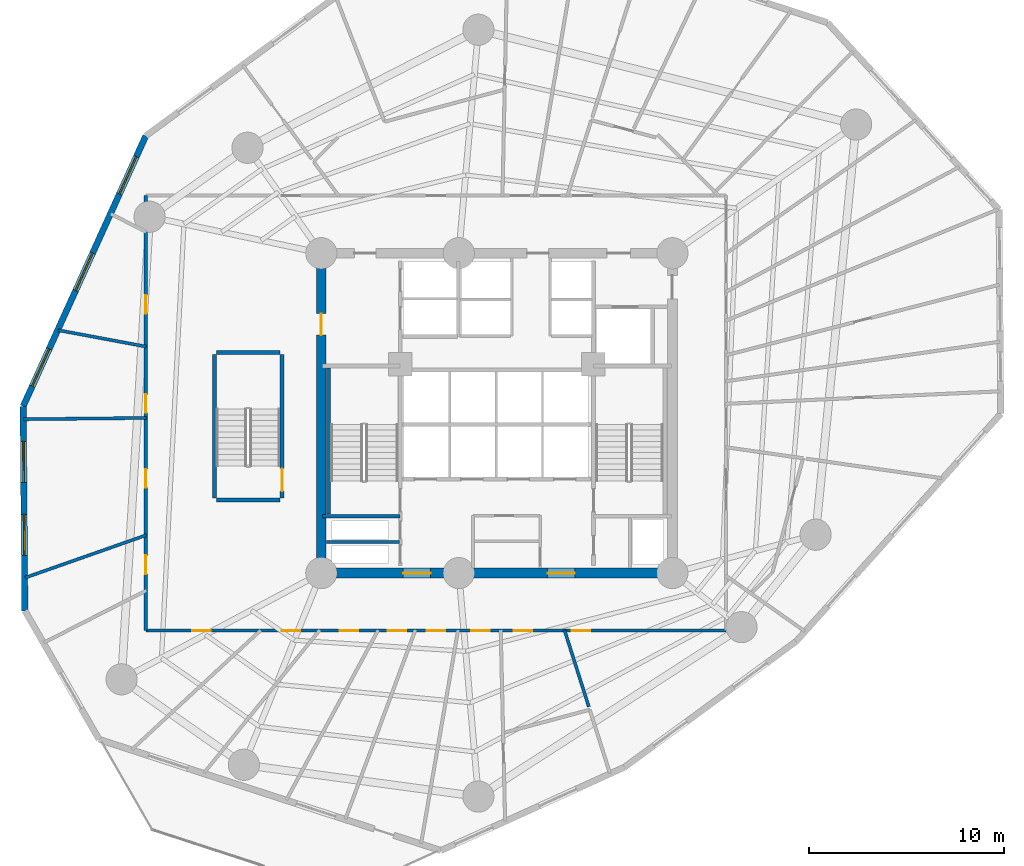
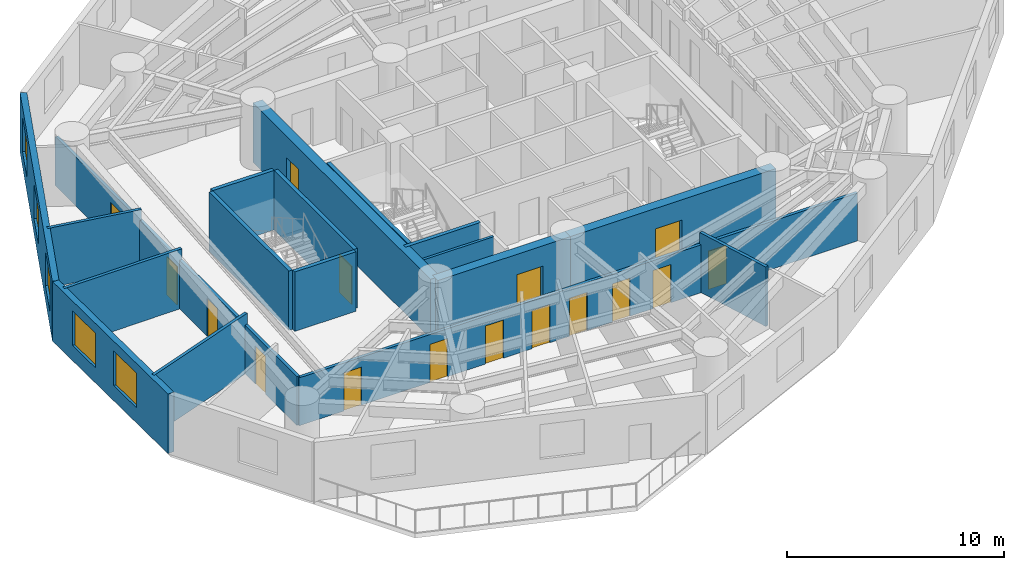
# One storey, part 3 of 9: 18 walls, 16 doors, 5 windows, 21 openings.
"""IFC4 building model written with IfcOpenShell, lengths in metres."""

import ifcopenshell
import ifcopenshell.guid

model = None  # the IFC model being written
_history = None  # IfcOwnerHistory: only IFC2X3 demands one
_inside = {}  # id of a spatial element -> (the spatial element, [elements in it])
_under = {}  # id of a project, library or spatial element -> (it, [spatial elements below it])
_declared = {}  # id of a project -> (the project, [libraries it declares])
_typed = {}  # id of a type object -> (the type object, [elements of that type])
_made_of = {}  # id of a material, layer set ... -> (it, [elements and type objects made of it])


def new_model(schema):
    """Start an empty IFC model of exactly this schema.

    Asked for "IFC4X3", IfcOpenShell would pick the latest addendum, in which some entities
    have other attributes; the version numbers below select the first issue.
    IFC2X3 requires an IfcOwnerHistory on every rooted entity: one is made here for all.
    """
    global model, _history
    if schema == "IFC4X3":
        model = ifcopenshell.file(schema_version=(4, 3, 0, 0))
    else:
        model = ifcopenshell.file(schema=schema)
    _inside.clear()
    _under.clear()
    _declared.clear()
    _typed.clear()
    _made_of.clear()
    _history = None
    if model.schema == "IFC2X3":
        org = make("IfcOrganization", Name="unknown")
        user = make(
            "IfcPersonAndOrganization",
            ThePerson=make("IfcPerson", FamilyName="unknown"),
            TheOrganization=org,
        )
        app = make(
            "IfcApplication",
            ApplicationDeveloper=org,
            Version="unknown",
            ApplicationFullName="unknown",
            ApplicationIdentifier="unknown",
        )
        _history = make(
            "IfcOwnerHistory",
            OwningUser=user,
            OwningApplication=app,
            ChangeAction="ADDED",
            CreationDate=0,
        )
    return model


def make(cls, **values):
    """One entity of the class cls with the attributes given. An attribute that is None is left unset."""
    return model.create_entity(
        cls, **{name: value for name, value in values.items() if value is not None}
    )


def rooted(cls, **values):
    """An entity with a GlobalId (a new one), such as an element, a storey or a relation."""
    return make(cls, GlobalId=ifcopenshell.guid.new(), OwnerHistory=_history, **values)


def si_unit(unit_type, name, prefix=None):
    """IfcSIUnit, for example si_unit("LENGTHUNIT", "METRE", prefix="MILLI")."""
    return make("IfcSIUnit", UnitType=unit_type, Prefix=prefix, Name=name)


def assignment(units):
    """IfcUnitAssignment: the units of a project."""
    return None if units is None else make("IfcUnitAssignment", Units=units)


def point(xyz):
    """IfcCartesianPoint."""
    return None if xyz is None else make("IfcCartesianPoint", Coordinates=xyz)


def direction(xyz):
    """IfcDirection."""
    return None if xyz is None else make("IfcDirection", DirectionRatios=xyz)


def frame(location, z_axis=None, x_axis=None):
    """IfcAxis2Placement3D, a coordinate frame: its origin and axes. An axis left out is left unset."""
    return make(
        "IfcAxis2Placement3D",
        Location=point(location),
        Axis=direction(z_axis),
        RefDirection=direction(x_axis),
    )


def frame_2d(location, x_axis=None):
    """IfcAxis2Placement2D, a coordinate frame in the plane: its origin and x axis."""
    return make(
        "IfcAxis2Placement2D", Location=point(location), RefDirection=direction(x_axis)
    )


def origin():
    """The frame at (0, 0, 0) with its axes left unset."""
    return frame((0.0, 0.0, 0.0))


def origin_with_axes():
    """The frame at (0, 0, 0) with the z axis (0, 0, 1) and the x axis (1, 0, 0) written out."""
    return frame((0.0, 0.0, 0.0), z_axis=(0.0, 0.0, 1.0), x_axis=(1.0, 0.0, 0.0))


def place(relative_to, where):
    """IfcLocalPlacement: puts the frame where relative to a parent placement (None: the world)."""
    return make(
        "IfcLocalPlacement", PlacementRelTo=relative_to, RelativePlacement=where
    )


def context(
    kind, dimensions, precision=None, world=None, true_north=None, identifier=None
):
    """IfcGeometricRepresentationContext, for example the 3D "Model" context."""
    return make(
        "IfcGeometricRepresentationContext",
        ContextIdentifier=identifier,
        ContextType=kind,
        CoordinateSpaceDimension=dimensions,
        Precision=precision,
        WorldCoordinateSystem=world,
        TrueNorth=true_north,
    )


def subcontext(parent, identifier, kind, view, scale=None):
    """IfcGeometricRepresentationSubContext, for example "Body" below "Model"."""
    return make(
        "IfcGeometricRepresentationSubContext",
        ContextIdentifier=identifier,
        ContextType=kind,
        ParentContext=parent,
        TargetScale=scale,
        TargetView=view,
    )


def project(units=None, contexts=None):
    """IfcProject with its units and contexts."""
    return rooted(
        "IfcProject",
        Name="project",
        RepresentationContexts=contexts,
        UnitsInContext=assignment(units),
    )


def spatial(cls, under=None, at=None, **own):
    """A site, building, storey or space (cls), placed at a placement, below another one or the project."""
    s = rooted(cls, ObjectPlacement=at, **own)
    if under is not None:
        _under.setdefault(under.id(), (under, []))[1].append(s)
    return s


def profile(cls, at=None, kind="AREA", **sizes):
    """A parametric profile (cls). Its sizes go by their IFC names, for example OverallWidth=200.0."""
    return make(cls, ProfileType=kind, Position=at, **sizes)


def rectangle(**sizes):
    """IfcRectangleProfileDef."""
    return profile("IfcRectangleProfileDef", **sizes)


def extrude(swept, where, along, depth):
    """IfcExtrudedAreaSolid: the profile swept, set in the frame where, extruded along a direction by depth."""
    return make(
        "IfcExtrudedAreaSolid",
        SweptArea=swept,
        Position=where,
        ExtrudedDirection=direction(along),
        Depth=depth,
    )


def shape(context_of_items, identifier, shape_type, items):
    """IfcShapeRepresentation: the items that make up one representation, for example the "Body"."""
    return make(
        "IfcShapeRepresentation",
        ContextOfItems=context_of_items,
        RepresentationIdentifier=identifier,
        RepresentationType=shape_type,
        Items=items,
    )


def source(mapping_origin, context_of_items, identifier, shape_type, items):
    """IfcRepresentationMap: a shape defined once, which mapped items show again and again."""
    return make(
        "IfcRepresentationMap",
        MappingOrigin=mapping_origin,
        MappedRepresentation=shape(context_of_items, identifier, shape_type, items),
    )


def transform(
    local_origin,
    x_axis=None,
    y_axis=None,
    z_axis=None,
    scale=None,
    scale2=None,
    scale3=None,
    uniform=True,
):
    """IfcCartesianTransformationOperator3D, or its non-uniform kind. x_axis, y_axis, z_axis: its Axis1, 2, 3."""
    if uniform:
        return make(
            "IfcCartesianTransformationOperator3D",
            Axis1=direction(x_axis),
            Axis2=direction(y_axis),
            LocalOrigin=point(local_origin),
            Scale=scale,
            Axis3=direction(z_axis),
        )
    return make(
        "IfcCartesianTransformationOperator3DnonUniform",
        Axis1=direction(x_axis),
        Axis2=direction(y_axis),
        LocalOrigin=point(local_origin),
        Scale=scale,
        Axis3=direction(z_axis),
        Scale2=scale2,
        Scale3=scale3,
    )


def mapped(mapping_source, mapping_target):
    """IfcMappedItem: shows the shape of a source again, moved by a transform."""
    return make(
        "IfcMappedItem", MappingSource=mapping_source, MappingTarget=mapping_target
    )


def material(Name=None, Category=None):
    """IfcMaterial."""
    return make("IfcMaterial", Name=Name, Category=Category)


def layer(
    of_material, thickness, ventilated=None, Name=None, Category=None, Priority=None
):
    """IfcMaterialLayer: one layer of a wall or slab, of a material (None: an air gap)."""
    return make(
        "IfcMaterialLayer",
        Material=of_material,
        LayerThickness=thickness,
        IsVentilated=ventilated,
        Name=Name,
        Category=Category,
        Priority=Priority,
    )


def layer_set(layers, Name=None):
    """IfcMaterialLayerSet."""
    return make("IfcMaterialLayerSet", MaterialLayers=layers, LayerSetName=Name)


def made_of(thing, what):
    """Note that an element or type object is made of a material, layer set ...; save() writes the relation."""
    if what is not None:
        _made_of.setdefault(what.id(), (what, []))[1].append(thing)
    return thing


def type_object(cls, material=None, **own):
    """A type object (cls), such as IfcWallType, which elements share."""
    return made_of(rooted(cls, **own), material)


def element(
    cls,
    number,
    at=None,
    inside=None,
    cuts=None,
    type_object=None,
    material=None,
    context=None,
    identifier="Body",
    shape_type=None,
    held_by="IfcProductDefinitionShape",
    body=None,
    shapes=None,
    **own,
):
    """One element of the class cls, such as IfcWall. Its Tag is "e" and its number.

    at: its placement. inside: the storey or other place that contains it. cuts: it is an
    opening in that element (IfcRelVoidsElement). A single representation is given by context,
    identifier, shape_type and body (its items); several are given by shapes. held_by: the class
    of the entity that holds the representations. save() writes the other relations.
    """
    e = rooted(cls, Tag="e%d" % number, ObjectPlacement=at, **own)
    if body is not None:
        shapes = [shape(context, identifier, shape_type, body)]
    if shapes is not None:
        e.Representation = make(held_by, Representations=shapes)
    if inside is not None:
        _inside.setdefault(inside.id(), (inside, []))[1].append(e)
    if cuts is not None:
        rooted(
            "IfcRelVoidsElement", RelatingBuildingElement=cuts, RelatedOpeningElement=e
        )
    if type_object is not None:
        _typed.setdefault(type_object.id(), (type_object, []))[1].append(e)
    return made_of(e, material)


def fill(opening, filler):
    """IfcRelFillsElement: the door or window that sits in an opening."""
    return rooted(
        "IfcRelFillsElement",
        RelatingOpeningElement=opening,
        RelatedBuildingElement=filler,
    )


def aggregate(whole, parts):
    """IfcRelAggregates: a whole, such as a stair, and the parts it consists of."""
    return rooted("IfcRelAggregates", RelatingObject=whole, RelatedObjects=parts)


def save(model, path):
    """Write the relations noted so far, then the file.

    IfcRelAggregates (storeys below a building ...), IfcRelContainedInSpatialStructure (elements
    in a storey), IfcRelDefinesByType, IfcRelAssociatesMaterial and IfcRelDeclares: one each for
    every whole, place, type object, material and project.
    """
    for whole, parts in _under.values():
        aggregate(whole, parts)
    for where, things in _inside.values():
        rooted(
            "IfcRelContainedInSpatialStructure",
            RelatedElements=things,
            RelatingStructure=where,
        )
    for kind, things in _typed.values():
        rooted("IfcRelDefinesByType", RelatedObjects=things, RelatingType=kind)
    for what, things in _made_of.values():
        rooted("IfcRelAssociatesMaterial", RelatedObjects=things, RelatingMaterial=what)
    for by, libraries in _declared.values():
        rooted("IfcRelDeclares", RelatingContext=by, RelatedDefinitions=libraries)
    model.write(path)


model = new_model("IFC4")

# Units and contexts
model_context = context("Model", 3, precision=1e-05, world=origin(), true_north=direction((0.0, 1.0)))
body_context = subcontext(model_context, "Body", "Model", "MODEL_VIEW")
ifc_project = project(units=[si_unit("LENGTHUNIT", "METRE"), si_unit("AREAUNIT", "SQUARE_METRE"), si_unit("VOLUMEUNIT", "CUBIC_METRE"), si_unit("PLANEANGLEUNIT", "RADIAN"), si_unit("MASSUNIT", "GRAM", prefix="KILO")], contexts=[model_context])

# Site, building, storey
site_placement = place(None, origin())
site = spatial("IfcSite", under=ifc_project, at=site_placement, CompositionType="ELEMENT")
building_placement = place(site_placement, origin())
building = spatial("IfcBuilding", under=site, at=building_placement, Name="Karkom Vertical University and Central Library", CompositionType="ELEMENT")
storey_placement = place(building_placement, frame((0.0, 0.0, 48.10009765625)))
storey = spatial("IfcBuildingStorey", under=building, at=storey_placement, Name="L12", CompositionType="ELEMENT", Elevation=48.10009765625)

# Wall, openings, windows
ifc_material_1 = material(Name="Brick-faced precast concrete C45/55", Category="masonry")
ifc_layer_1 = layer(ifc_material_1, 0.320068359375)
ifc_layer_set_1 = layer_set([ifc_layer_1], Name="Brick-faced precast concrete C45/55")
wall_type_1 = type_object("IfcWallType", Name="ENV-WL-BRK-320", PredefinedType="SOLIDWALL", material=ifc_layer_set_1)
wall_1_placement = place(storey_placement, frame((10.499267578125, 40.7177734375, 0.0), z_axis=(0.0, 0.0, 1.0), x_axis=(-0.41300414516, -0.91072914529, 0.0)))
wall_1 = element("IfcWall", 1, at=wall_1_placement, inside=storey, type_object=wall_type_1, Name="Level 12 Brick-Faced Precast Facade Wall 01", PredefinedType="SOLIDWALL", context=body_context, shape_type="SweptSolid", body=[
    extrude(rectangle(XDim=15.22412109375, YDim=0.320068359375, at=frame_2d((7.612060546875, 0.0))), origin(), (0.0, 0.0, 1.0), 3.349853515625),
])
opening_1_placement = place(wall_1_placement, frame((1.172607421875, 0.0, 0.85009765625)))
opening_1 = element("IfcOpeningElement", 2, at=opening_1_placement, cuts=wall_1, Name="Opening WN-03", PredefinedType="OPENING", context=body_context, shape_type="SweptSolid", body=[
    extrude(rectangle(XDim=2.10009765625, YDim=1.949951171875, at=frame_2d((1.050048828125, 0.97509765625))), frame((0.0, 0.169921875, 0.0), z_axis=(0.0, -1.0, 0.0), x_axis=(1.0, 0.0, 0.0)), (0.0, 0.0, 1.0), 0.340087890625),
])
opening_2_placement = place(wall_1_placement, frame((6.60302734375, 0.0, 0.85009765625)))
opening_2 = element("IfcOpeningElement", 3, at=opening_2_placement, cuts=wall_1, Name="Opening WN-03", PredefinedType="OPENING", context=body_context, shape_type="SweptSolid", body=[
    extrude(rectangle(XDim=2.10009765625, YDim=1.949951171875, at=frame_2d((1.050048828125, 0.97509765625))), frame((0.0, 0.169921875, 0.0), z_axis=(0.0, -1.0, 0.0), x_axis=(1.0, 0.0, 0.0)), (0.0, 0.0, 1.0), 0.340087890625),
])
opening_3_placement = place(wall_1_placement, frame((11.99267578125, 0.0, 0.85009765625)))
opening_3 = element("IfcOpeningElement", 4, at=opening_3_placement, cuts=wall_1, Name="Opening WN-03", PredefinedType="OPENING", context=body_context, shape_type="SweptSolid", body=[
    extrude(rectangle(XDim=2.10009765625, YDim=1.949951171875, at=frame_2d((1.050048828125, 0.97509765625))), frame((0.0, 0.169921875, 0.0), z_axis=(0.0, -1.0, 0.0), x_axis=(1.0, 0.0, 0.0)), (0.0, 0.0, 1.0), 0.340087890625),
])
ifc_material_2 = material(Name="Aluminium thermal-break frame with solar-control IGU", Category="aluminium")
window_type = type_object("IfcWindowType", Name="ENV-WIN-WN-03", PartitioningType="SINGLE_PANEL", PredefinedType="WINDOW", material=ifc_material_2)
shared_shape_1 = source(origin_with_axes(), body_context, "Body", "SweptSolid", [
    extrude(rectangle(XDim=2.10009765625, YDim=1.949951171875, at=frame_2d((1.050048828125, 0.97509765625))), frame((0.0, 0.030029296875, 0.0), z_axis=(0.0, -1.0, 0.0), x_axis=(1.0, 0.0, 0.0)), (0.0, 0.0, 1.0), 0.06005859375),
])
window_1_placement = place(opening_1_placement, origin())
window_1 = element("IfcWindow", 5, at=window_1_placement, inside=storey, type_object=window_type, Name="Level 12 Punched Window 1.1", OverallHeight=1.949951171875, OverallWidth=2.10009765625, PartitioningType="SINGLE_PANEL", PredefinedType="WINDOW", context=body_context, shape_type="MappedRepresentation", body=[
    mapped(shared_shape_1, transform((0.0, 0.0, 0.0), scale=1.0)),
])
fill(opening_1, window_1)
window_2_placement = place(opening_2_placement, origin())
window_2 = element("IfcWindow", 6, at=window_2_placement, inside=storey, type_object=window_type, Name="Level 12 Punched Window 1.2", OverallHeight=1.949951171875, OverallWidth=2.10009765625, PartitioningType="SINGLE_PANEL", PredefinedType="WINDOW", context=body_context, shape_type="MappedRepresentation", body=[
    mapped(shared_shape_1, transform((0.0, 0.0, 0.0), scale=1.0)),
])
fill(opening_2, window_2)
window_3_placement = place(opening_3_placement, origin())
window_3 = element("IfcWindow", 7, at=window_3_placement, inside=storey, type_object=window_type, Name="Level 12 Punched Window 1.3", OverallHeight=1.949951171875, OverallWidth=2.10009765625, PartitioningType="SINGLE_PANEL", PredefinedType="WINDOW", context=body_context, shape_type="MappedRepresentation", body=[
    mapped(shared_shape_1, transform((0.0, 0.0, 0.0), scale=1.0)),
])
fill(opening_3, window_3)

wall_2_placement = place(storey_placement, frame((4.211669921875, 26.852783203125, 0.0), z_axis=(0.0, 0.0, 1.0), x_axis=(0.00840678256, -0.999964662379, 0.0)))
wall_2 = element("IfcWall", 8, at=wall_2_placement, inside=storey, type_object=wall_type_1, Name="Level 12 Brick-Faced Precast Facade Wall 02", PredefinedType="SOLIDWALL", context=body_context, shape_type="SweptSolid", body=[
    extrude(rectangle(XDim=10.48388671875, YDim=0.320068359375, at=frame_2d((5.241943359375, 0.0))), origin(), (0.0, 0.0, 1.0), 3.349853515625),
])
opening_4_placement = place(wall_2_placement, frame((1.80419921875, 0.0, 0.85009765625)))
opening_4 = element("IfcOpeningElement", 9, at=opening_4_placement, cuts=wall_2, Name="Opening WN-03", PredefinedType="OPENING", context=body_context, shape_type="SweptSolid", body=[
    extrude(rectangle(XDim=2.10009765625, YDim=1.949951171875, at=frame_2d((1.050048828125, 0.97509765625))), frame((0.0, 0.169921875, 0.0), z_axis=(0.0, -1.0, 0.0), x_axis=(1.0, 0.0, 0.0)), (0.0, 0.0, 1.0), 0.340087890625),
])
opening_5_placement = place(wall_2_placement, frame((5.541015625, 0.0, 0.85009765625)))
opening_5 = element("IfcOpeningElement", 10, at=opening_5_placement, cuts=wall_2, Name="Opening WN-03", PredefinedType="OPENING", context=body_context, shape_type="SweptSolid", body=[
    extrude(rectangle(XDim=2.10009765625, YDim=1.949951171875, at=frame_2d((1.050048828125, 0.97509765625))), frame((0.0, 0.169921875, 0.0), z_axis=(0.0, -1.0, 0.0), x_axis=(1.0, 0.0, 0.0)), (0.0, 0.0, 1.0), 0.340087890625),
])
window_4_placement = place(opening_4_placement, origin())
window_4 = element("IfcWindow", 11, at=window_4_placement, inside=storey, type_object=window_type, Name="Level 12 Punched Window 2.1", OverallHeight=1.949951171875, OverallWidth=2.10009765625, PartitioningType="SINGLE_PANEL", PredefinedType="WINDOW", context=body_context, shape_type="MappedRepresentation", body=[
    mapped(shared_shape_1, transform((0.0, 0.0, 0.0), scale=1.0)),
])
fill(opening_4, window_4)
window_5_placement = place(opening_5_placement, origin())
window_5 = element("IfcWindow", 12, at=window_5_placement, inside=storey, type_object=window_type, Name="Level 12 Punched Window 2.2", OverallHeight=1.949951171875, OverallWidth=2.10009765625, PartitioningType="SINGLE_PANEL", PredefinedType="WINDOW", context=body_context, shape_type="MappedRepresentation", body=[
    mapped(shared_shape_1, transform((0.0, 0.0, 0.0), scale=1.0)),
])
fill(opening_5, window_5)

# Wall, openings, doors
ifc_material_3 = material(Name="Insulated metal-stud drywall 160mm", Category="gypsum")
ifc_layer_2 = layer(ifc_material_3, 0.159912109375)
ifc_layer_set_2 = layer_set([ifc_layer_2], Name="Insulated metal-stud drywall 160mm")
wall_type_2 = type_object("IfcWallType", Name="INT-WL-COR-160", PredefinedType="PARTITIONING", material=ifc_layer_set_2)
wall_3_placement = place(storey_placement, frame((40.25, 15.35009765625, 0.0), z_axis=(0.0, 0.0, 1.0), x_axis=(-1.0, 0.0, 0.0)))
wall_3 = element("IfcWall", 13, at=wall_3_placement, inside=storey, type_object=wall_type_2, Name="Level 12 Interior Partition Wall L12-CORW-CW-001", PredefinedType="PARTITIONING", context=body_context, shape_type="SweptSolid", body=[
    extrude(rectangle(XDim=29.75, YDim=0.159912109375, at=frame_2d((14.875, 0.0))), origin(), (0.0, 0.0, 1.0), 2.699951171875),
])
opening_6_placement = place(wall_3_placement, frame((26.4228515625, 0.0, 0.0)))
opening_6 = element("IfcOpeningElement", 14, at=opening_6_placement, cuts=wall_3, Name="Opening D-RM1", PredefinedType="OPENING", context=body_context, shape_type="SweptSolid", body=[
    extrude(rectangle(XDim=0.949951171875, YDim=2.14990234375, at=frame_2d((0.47509765625, 1.074951171875))), frame((0.0, 0.08984375, 0.0), z_axis=(0.0, -1.0, 0.0), x_axis=(1.0, 0.0, 0.0)), (0.0, 0.0, 1.0), 0.179931640625),
])
opening_7_placement = place(wall_3_placement, frame((21.83740234375, 0.0, 0.0)))
opening_7 = element("IfcOpeningElement", 15, at=opening_7_placement, cuts=wall_3, Name="Opening D-RM1", PredefinedType="OPENING", context=body_context, shape_type="SweptSolid", body=[
    extrude(rectangle(XDim=0.949951171875, YDim=2.14990234375, at=frame_2d((0.47509765625, 1.074951171875))), frame((0.0, 0.08984375, 0.0), z_axis=(0.0, -1.0, 0.0), x_axis=(1.0, 0.0, 0.0)), (0.0, 0.0, 1.0), 0.179931640625),
])
opening_8_placement = place(wall_3_placement, frame((18.862548828125, 0.0, 0.0)))
opening_8 = element("IfcOpeningElement", 16, at=opening_8_placement, cuts=wall_3, Name="Opening D-RM1", PredefinedType="OPENING", context=body_context, shape_type="SweptSolid", body=[
    extrude(rectangle(XDim=0.949951171875, YDim=2.14990234375, at=frame_2d((0.47509765625, 1.074951171875))), frame((0.0, 0.08984375, 0.0), z_axis=(0.0, -1.0, 0.0), x_axis=(1.0, 0.0, 0.0)), (0.0, 0.0, 1.0), 0.179931640625),
])
opening_9_placement = place(wall_3_placement, frame((16.387939453125, 0.0, 0.0)))
opening_9 = element("IfcOpeningElement", 17, at=opening_9_placement, cuts=wall_3, Name="Opening D-RM1", PredefinedType="OPENING", context=body_context, shape_type="SweptSolid", body=[
    extrude(rectangle(XDim=0.949951171875, YDim=2.14990234375, at=frame_2d((0.47509765625, 1.074951171875))), frame((0.0, 0.08984375, 0.0), z_axis=(0.0, -1.0, 0.0), x_axis=(1.0, 0.0, 0.0)), (0.0, 0.0, 1.0), 0.179931640625),
])
opening_10_placement = place(wall_3_placement, frame((14.39990234375, 0.0, 0.0)))
opening_10 = element("IfcOpeningElement", 18, at=opening_10_placement, cuts=wall_3, Name="Opening D-RM1", PredefinedType="OPENING", context=body_context, shape_type="SweptSolid", body=[
    extrude(rectangle(XDim=0.949951171875, YDim=2.14990234375, at=frame_2d((0.47509765625, 1.074951171875))), frame((0.0, 0.08984375, 0.0), z_axis=(0.0, -1.0, 0.0), x_axis=(1.0, 0.0, 0.0)), (0.0, 0.0, 1.0), 0.179931640625),
])
opening_11_placement = place(wall_3_placement, frame((12.1181640625, 0.0, 0.0)))
opening_11 = element("IfcOpeningElement", 19, at=opening_11_placement, cuts=wall_3, Name="Opening D-RM1", PredefinedType="OPENING", context=body_context, shape_type="SweptSolid", body=[
    extrude(rectangle(XDim=0.949951171875, YDim=2.14990234375, at=frame_2d((0.47509765625, 1.074951171875))), frame((0.0, 0.08984375, 0.0), z_axis=(0.0, -1.0, 0.0), x_axis=(1.0, 0.0, 0.0)), (0.0, 0.0, 1.0), 0.179931640625),
])
opening_12_placement = place(wall_3_placement, frame((9.9375, 0.0, 0.0)))
opening_12 = element("IfcOpeningElement", 20, at=opening_12_placement, cuts=wall_3, Name="Opening D-RM1", PredefinedType="OPENING", context=body_context, shape_type="SweptSolid", body=[
    extrude(rectangle(XDim=0.949951171875, YDim=2.14990234375, at=frame_2d((0.47509765625, 1.074951171875))), frame((0.0, 0.08984375, 0.0), z_axis=(0.0, -1.0, 0.0), x_axis=(1.0, 0.0, 0.0)), (0.0, 0.0, 1.0), 0.179931640625),
])
opening_13_placement = place(wall_3_placement, frame((6.96240234375, 0.0, 0.0)))
opening_13 = element("IfcOpeningElement", 21, at=opening_13_placement, cuts=wall_3, Name="Opening D-RM1", PredefinedType="OPENING", context=body_context, shape_type="SweptSolid", body=[
    extrude(rectangle(XDim=0.949951171875, YDim=2.14990234375, at=frame_2d((0.47509765625, 1.074951171875))), frame((0.0, 0.08984375, 0.0), z_axis=(0.0, -1.0, 0.0), x_axis=(1.0, 0.0, 0.0)), (0.0, 0.0, 1.0), 0.179931640625),
])
ifc_material_4 = material(Name="Solid-core oak veneer door", Category="wood")
door_type_1 = type_object("IfcDoorType", Name="INT-DR-RM1", OperationType="NOTDEFINED", PredefinedType="DOOR", material=ifc_material_4)
shared_shape_2 = source(origin_with_axes(), body_context, "Body", "SweptSolid", [
    extrude(rectangle(XDim=0.949951171875, YDim=2.14990234375, at=frame_2d((0.47509765625, 1.074951171875))), frame((0.0, 0.02490234375, 0.0), z_axis=(0.0, -1.0, 0.0), x_axis=(1.0, 0.0, 0.0)), (0.0, 0.0, 1.0), 0.050048828125),
])
door_1_placement = place(opening_6_placement, origin())
door_1 = element("IfcDoor", 22, at=door_1_placement, inside=storey, type_object=door_type_1, Name="Level 12 Room Entry Door 020", OperationType="SINGLE_SWING_RIGHT", OverallHeight=2.14990234375, OverallWidth=0.949951171875, PredefinedType="DOOR", context=body_context, shape_type="MappedRepresentation", body=[
    mapped(shared_shape_2, transform((0.0, 0.0, 0.0), scale=1.0)),
])
fill(opening_6, door_1)
door_2_placement = place(opening_7_placement, origin())
door_2 = element("IfcDoor", 23, at=door_2_placement, inside=storey, type_object=door_type_1, Name="Level 12 Room Entry Door 030", OperationType="SINGLE_SWING_LEFT", OverallHeight=2.14990234375, OverallWidth=0.949951171875, PredefinedType="DOOR", context=body_context, shape_type="MappedRepresentation", body=[
    mapped(shared_shape_2, transform((0.0, 0.0, 0.0), scale=1.0)),
])
fill(opening_7, door_2)
door_3_placement = place(opening_8_placement, origin())
door_3 = element("IfcDoor", 24, at=door_3_placement, inside=storey, type_object=door_type_1, Name="Level 12 Room Entry Door 040", OperationType="SINGLE_SWING_RIGHT", OverallHeight=2.14990234375, OverallWidth=0.949951171875, PredefinedType="DOOR", context=body_context, shape_type="MappedRepresentation", body=[
    mapped(shared_shape_2, transform((0.0, 0.0, 0.0), scale=1.0)),
])
fill(opening_8, door_3)
door_4_placement = place(opening_9_placement, origin())
door_4 = element("IfcDoor", 25, at=door_4_placement, inside=storey, type_object=door_type_1, Name="Level 12 Room Entry Door 050", OperationType="SINGLE_SWING_LEFT", OverallHeight=2.14990234375, OverallWidth=0.949951171875, PredefinedType="DOOR", context=body_context, shape_type="MappedRepresentation", body=[
    mapped(shared_shape_2, transform((0.0, 0.0, 0.0), scale=1.0)),
])
fill(opening_9, door_4)
door_5_placement = place(opening_10_placement, origin())
door_5 = element("IfcDoor", 26, at=door_5_placement, inside=storey, type_object=door_type_1, Name="Level 12 Room Entry Door 060", OperationType="SINGLE_SWING_RIGHT", OverallHeight=2.14990234375, OverallWidth=0.949951171875, PredefinedType="DOOR", context=body_context, shape_type="MappedRepresentation", body=[
    mapped(shared_shape_2, transform((0.0, 0.0, 0.0), scale=1.0)),
])
fill(opening_10, door_5)
door_6_placement = place(opening_11_placement, origin())
door_6 = element("IfcDoor", 27, at=door_6_placement, inside=storey, type_object=door_type_1, Name="Level 12 Room Entry Door 070", OperationType="SINGLE_SWING_LEFT", OverallHeight=2.14990234375, OverallWidth=0.949951171875, PredefinedType="DOOR", context=body_context, shape_type="MappedRepresentation", body=[
    mapped(shared_shape_2, transform((0.0, 0.0, 0.0), scale=1.0)),
])
fill(opening_11, door_6)
door_7_placement = place(opening_12_placement, origin())
door_7 = element("IfcDoor", 28, at=door_7_placement, inside=storey, type_object=door_type_1, Name="Level 12 Room Entry Door 090", OperationType="SINGLE_SWING_RIGHT", OverallHeight=2.14990234375, OverallWidth=0.949951171875, PredefinedType="DOOR", context=body_context, shape_type="MappedRepresentation", body=[
    mapped(shared_shape_2, transform((0.0, 0.0, 0.0), scale=1.0)),
])
fill(opening_12, door_7)
door_8_placement = place(opening_13_placement, origin())
door_8 = element("IfcDoor", 29, at=door_8_placement, inside=storey, type_object=door_type_1, Name="Level 12 Room Entry Door 100", OperationType="SINGLE_SWING_LEFT", OverallHeight=2.14990234375, OverallWidth=0.949951171875, PredefinedType="DOOR", context=body_context, shape_type="MappedRepresentation", body=[
    mapped(shared_shape_2, transform((0.0, 0.0, 0.0), scale=1.0)),
])
fill(opening_13, door_8)

wall_4_placement = place(storey_placement, frame((10.5, 15.35009765625, 0.0), z_axis=(0.0, 0.0, 1.0), x_axis=(0.0, 1.0, 0.0)))
wall_4 = element("IfcWall", 30, at=wall_4_placement, inside=storey, type_object=wall_type_2, Name="Level 12 Interior Partition Wall L12-CORW-CW-002", PredefinedType="PARTITIONING", context=body_context, shape_type="SweptSolid", body=[
    extrude(rectangle(XDim=22.2998046875, YDim=0.159912109375, at=frame_2d((11.14990234375, 0.0))), origin(), (0.0, 0.0, 1.0), 2.75),
])
opening_14_placement = place(wall_4_placement, frame((7.330078125, 0.0, 0.0)))
opening_14 = element("IfcOpeningElement", 31, at=opening_14_placement, cuts=wall_4, Name="Opening D-RM1", PredefinedType="OPENING", context=body_context, shape_type="SweptSolid", body=[
    extrude(rectangle(XDim=0.949951171875, YDim=2.14990234375, at=frame_2d((0.47509765625, 1.074951171875))), frame((0.0, 0.08984375, 0.0), z_axis=(0.0, -1.0, 0.0), x_axis=(1.0, 0.0, 0.0)), (0.0, 0.0, 1.0), 0.179931640625),
])
opening_15_placement = place(wall_4_placement, frame((2.893310546875, 0.0, 0.0)))
opening_15 = element("IfcOpeningElement", 32, at=opening_15_placement, cuts=wall_4, Name="Opening FD-RM2", PredefinedType="OPENING", context=body_context, shape_type="SweptSolid", body=[
    extrude(rectangle(XDim=0.9599609375, YDim=2.14990234375, at=frame_2d((0.47998046875, 1.074951171875))), frame((0.0, 0.08984375, 0.0), z_axis=(0.0, -1.0, 0.0), x_axis=(1.0, 0.0, 0.0)), (0.0, 0.0, 1.0), 0.179931640625),
])
opening_16_placement = place(wall_4_placement, frame((16.25, 0.0, 0.0)))
opening_16 = element("IfcOpeningElement", 33, at=opening_16_placement, cuts=wall_4, Name="Opening D-RM1", PredefinedType="OPENING", context=body_context, shape_type="SweptSolid", body=[
    extrude(rectangle(XDim=0.949951171875, YDim=2.14990234375, at=frame_2d((0.47509765625, 1.074951171875))), frame((0.0, 0.08984375, 0.0), z_axis=(0.0, -1.0, 0.0), x_axis=(1.0, 0.0, 0.0)), (0.0, 0.0, 1.0), 0.179931640625),
])
opening_17_placement = place(wall_4_placement, frame((11.1650390625, 0.0, 0.0)))
opening_17 = element("IfcOpeningElement", 34, at=opening_17_placement, cuts=wall_4, Name="Opening D-RM1", PredefinedType="OPENING", context=body_context, shape_type="SweptSolid", body=[
    extrude(rectangle(XDim=0.949951171875, YDim=2.14990234375, at=frame_2d((0.47509765625, 1.074951171875))), frame((0.0, 0.08984375, 0.0), z_axis=(0.0, -1.0, 0.0), x_axis=(1.0, 0.0, 0.0)), (0.0, 0.0, 1.0), 0.179931640625),
])
ifc_material_5 = material(Name="Fire-rated oak veneer door", Category="wood")
door_type_2 = type_object("IfcDoorType", Name="INT-DR-FRM2", OperationType="NOTDEFINED", PredefinedType="DOOR", material=ifc_material_5)
shared_shape_3 = source(origin_with_axes(), body_context, "Body", "SweptSolid", [
    extrude(rectangle(XDim=0.9599609375, YDim=2.14990234375, at=frame_2d((0.47998046875, 1.074951171875))), frame((0.0, 0.02490234375, 0.0), z_axis=(0.0, -1.0, 0.0), x_axis=(1.0, 0.0, 0.0)), (0.0, 0.0, 1.0), 0.050048828125),
])
door_9_placement = place(opening_15_placement, origin())
door_9 = element("IfcDoor", 35, at=door_9_placement, inside=storey, type_object=door_type_2, Name="Level 12 Room Entry Door 010", OperationType="SINGLE_SWING_LEFT", OverallHeight=2.14990234375, OverallWidth=0.9599609375, PredefinedType="DOOR", context=body_context, shape_type="MappedRepresentation", body=[
    mapped(shared_shape_3, transform((0.0, 0.0, 0.0), scale=1.0)),
])
fill(opening_15, door_9)
door_10_placement = place(opening_14_placement, origin())
door_10 = element("IfcDoor", 36, at=door_10_placement, inside=storey, type_object=door_type_1, Name="Level 12 Room Entry Door 000", OperationType="SINGLE_SWING_RIGHT", OverallHeight=2.14990234375, OverallWidth=0.949951171875, PredefinedType="DOOR", context=body_context, shape_type="MappedRepresentation", body=[
    mapped(shared_shape_2, transform((0.0, 0.0, 0.0), scale=1.0)),
])
fill(opening_14, door_10)
door_11_placement = place(opening_16_placement, origin())
door_11 = element("IfcDoor", 37, at=door_11_placement, inside=storey, type_object=door_type_1, Name="Level 12 Room Entry Door 300", OperationType="SINGLE_SWING_RIGHT", OverallHeight=2.14990234375, OverallWidth=0.949951171875, PredefinedType="DOOR", context=body_context, shape_type="MappedRepresentation", body=[
    mapped(shared_shape_2, transform((0.0, 0.0, 0.0), scale=1.0)),
])
fill(opening_16, door_11)
door_12_placement = place(opening_17_placement, origin())
door_12 = element("IfcDoor", 38, at=door_12_placement, inside=storey, type_object=door_type_1, Name="Level 12 Room Entry Door 310", OperationType="SINGLE_SWING_LEFT", OverallHeight=2.14990234375, OverallWidth=0.949951171875, PredefinedType="DOOR", context=body_context, shape_type="MappedRepresentation", body=[
    mapped(shared_shape_2, transform((0.0, 0.0, 0.0), scale=1.0)),
])
fill(opening_17, door_12)

# Walls
wall_5_placement = place(storey_placement, frame((10.54248046875, 20.251953125, 0.0), z_axis=(0.0, 0.0, 1.0), x_axis=(-0.943421687101, -0.331595416597, 0.0)))
element("IfcWall", 39, at=wall_5_placement, inside=storey, type_object=wall_type_2, Name="Level 12 Interior Partition Wall L12-PW-001", PredefinedType="PARTITIONING", context=body_context, shape_type="SweptSolid", body=[
    extrude(rectangle(XDim=6.60205078125, YDim=0.159912109375, at=frame_2d((3.301025390625, 0.0))), origin(), (0.0, 0.0, 1.0), 3.349853515625),
])
wall_6_placement = place(storey_placement, frame((4.2421875, 26.1875, 0.0), z_axis=(0.0, 0.0, 1.0), x_axis=(0.999945721523, 0.010418925479, 0.0)))
element("IfcWall", 40, at=wall_6_placement, inside=storey, type_object=wall_type_2, Name="Level 12 Interior Partition Wall L12-PW-002", PredefinedType="PARTITIONING", context=body_context, shape_type="SweptSolid", body=[
    extrude(rectangle(XDim=6.30322265625, YDim=0.159912109375, at=frame_2d((3.151611328125, 0.0))), origin(), (0.0, 0.0, 1.0), 3.349853515625),
])
wall_7_placement = place(storey_placement, frame((10.529541015625, 29.910400390625, 0.0), z_axis=(0.0, 0.0, 1.0), x_axis=(-0.983075377026, 0.183201536798, 0.0)))
element("IfcWall", 41, at=wall_7_placement, inside=storey, type_object=wall_type_2, Name="Level 12 Interior Partition Wall L12-PW-041", PredefinedType="PARTITIONING", context=body_context, shape_type="SweptSolid", body=[
    extrude(rectangle(XDim=4.59765625, YDim=0.159912109375, at=frame_2d((2.298828125, 0.0))), origin(), (0.0, 0.0, 1.0), 3.349853515625),
])
wall_8_placement = place(storey_placement, frame((31.966552734375, 15.378662109375, 0.0), z_axis=(0.0, 0.0, 1.0), x_axis=(0.302490392513, -0.953152433999, 0.0)))
element("IfcWall", 42, at=wall_8_placement, inside=storey, type_object=wall_type_2, Name="Level 12 Interior Partition Wall L12-PW-012", PredefinedType="PARTITIONING", context=body_context, shape_type="SweptSolid", body=[
    extrude(rectangle(XDim=4.1259765625, YDim=0.159912109375, at=frame_2d((2.06298828125, 0.0))), origin(), (0.0, 0.0, 1.0), 3.349853515625),
])
ifc_material_6 = material(Name="Metal-stud gypsum partition 140mm", Category="gypsum")
ifc_layer_3 = layer(ifc_material_6, 0.139892578125)
ifc_layer_set_3 = layer_set([ifc_layer_3], Name="Metal-stud gypsum partition 140mm")
wall_type_3 = type_object("IfcWallType", Name="INT-WL-SUB-140H", PredefinedType="PARTITIONING", material=ifc_layer_set_3)
wall_9_placement = place(storey_placement, frame((19.757080078125, 19.889892578125, 0.0), z_axis=(0.0, 0.0, 1.0), x_axis=(1.0, 0.0, 0.0)))
element("IfcWall", 43, at=wall_9_placement, inside=storey, type_object=wall_type_3, Name="Level 12 Interior Partition Wall L12-CW-RIS-W", PredefinedType="PARTITIONING", context=body_context, shape_type="SweptSolid", body=[
    extrude(rectangle(XDim=3.7392578125, YDim=0.139892578125, at=frame_2d((1.86962890625, 0.0))), origin(), (0.0, 0.0, 1.0), 3.349853515625),
])

# Wall, opening, door
ifc_material_7 = material(Name="Concrete C50/60", Category="concrete")
ifc_layer_4 = layer(ifc_material_7, 0.5)
ifc_layer_set_4 = layer_set([ifc_layer_4], Name="Concrete C50/60")
wall_type_4 = type_object("IfcWallType", Name="STR-WL-CW-500", PredefinedType="SHEAR", material=ifc_layer_set_4)
wall_10_placement = place(storey_placement, frame((19.5, 18.300048828125, 0.0), z_axis=(0.0, 0.0, 1.0), x_axis=(1.0, 0.0, 0.0)))
wall_10 = element("IfcWall", 44, at=wall_10_placement, inside=storey, type_object=wall_type_4, Name="Level 12 Central Core Shear Wall SW1", PredefinedType="SHEAR", context=body_context, shape_type="SweptSolid", body=[
    extrude(rectangle(XDim=7.050048828125, YDim=0.5, at=frame_2d((3.52490234375, 0.0))), origin(), (0.0, 0.0, 1.0), 3.349853515625),
])
opening_18_placement = place(wall_10_placement, frame((4.199951171875, 0.0, 0.0)))
opening_18 = element("IfcOpeningElement", 45, at=opening_18_placement, cuts=wall_10, Name="Opening FD-CLB", PredefinedType="OPENING", context=body_context, shape_type="SweptSolid", body=[
    extrude(rectangle(XDim=1.39990234375, YDim=2.199951171875, at=frame_2d((0.699951171875, 1.10009765625))), frame((0.0, 0.260009765625, 0.0), z_axis=(0.0, -1.0, 0.0), x_axis=(1.0, 0.0, 0.0)), (0.0, 0.0, 1.0), 0.52001953125),
])
ifc_material_8 = material(Name="Painted steel fire door", Category="steel")
door_type_3 = type_object("IfcDoorType", Name="INT-DR-CLB", OperationType="DOUBLE_DOOR_SINGLE_SWING", PredefinedType="DOOR", material=ifc_material_8)
shared_shape_4 = source(origin_with_axes(), body_context, "Body", "SweptSolid", [
    extrude(rectangle(XDim=1.39990234375, YDim=2.199951171875, at=frame_2d((0.699951171875, 1.10009765625))), frame((0.0, 0.02490234375, 0.0), z_axis=(0.0, -1.0, 0.0), x_axis=(1.0, 0.0, 0.0)), (0.0, 0.0, 1.0), 0.050048828125),
])
door_13_placement = place(opening_18_placement, origin())
door_13 = element("IfcDoor", 46, at=door_13_placement, inside=storey, type_object=door_type_3, Name="Level 12 South Core Lobby West Exit Door", OperationType="DOUBLE_DOOR_SINGLE_SWING", OverallHeight=2.199951171875, OverallWidth=1.39990234375, PredefinedType="DOOR", context=body_context, shape_type="MappedRepresentation", body=[
    mapped(shared_shape_4, transform((0.0, 0.0, 0.0), scale=1.0)),
])
fill(opening_18, door_13)

wall_11_placement = place(storey_placement, frame((26.550048828125, 18.300048828125, 0.0), z_axis=(0.0, 0.0, 1.0), x_axis=(1.0, 0.0, 0.0)))
wall_11 = element("IfcWall", 47, at=wall_11_placement, inside=storey, type_object=wall_type_4, Name="Level 12 Central Core Shear Wall SW2", PredefinedType="SHEAR", context=body_context, shape_type="SweptSolid", body=[
    extrude(rectangle(XDim=10.949951171875, YDim=0.5, at=frame_2d((5.47509765625, 0.0))), origin(), (0.0, 0.0, 1.0), 3.349853515625),
])
opening_19_placement = place(wall_11_placement, frame((4.550048828125, 0.0, 0.0)))
opening_19 = element("IfcOpeningElement", 48, at=opening_19_placement, cuts=wall_11, Name="Opening FD-CLB", PredefinedType="OPENING", context=body_context, shape_type="SweptSolid", body=[
    extrude(rectangle(XDim=1.39990234375, YDim=2.199951171875, at=frame_2d((0.699951171875, 1.10009765625))), frame((0.0, 0.260009765625, 0.0), z_axis=(0.0, -1.0, 0.0), x_axis=(1.0, 0.0, 0.0)), (0.0, 0.0, 1.0), 0.52001953125),
])
door_14_placement = place(opening_19_placement, origin())
door_14 = element("IfcDoor", 49, at=door_14_placement, inside=storey, type_object=door_type_3, Name="Level 12 South Core Lobby East Exit Door", OperationType="DOUBLE_DOOR_SINGLE_SWING", OverallHeight=2.199951171875, OverallWidth=1.39990234375, PredefinedType="DOOR", context=body_context, shape_type="MappedRepresentation", body=[
    mapped(shared_shape_4, transform((0.0, 0.0, 0.0), scale=1.0)),
])
fill(opening_19, door_14)

wall_12_placement = place(storey_placement, frame((19.5, 34.699951171875, 0.0), z_axis=(0.0, 0.0, 1.0), x_axis=(0.0, -1.0, 0.0)))
wall_12 = element("IfcWall", 50, at=wall_12_placement, inside=storey, type_object=wall_type_4, Name="Level 12 Central Core Shear Wall WW", PredefinedType="SHEAR", context=body_context, shape_type="SweptSolid", body=[
    extrude(rectangle(XDim=16.39990234375, YDim=0.5, at=frame_2d((8.199951171875, 0.0))), origin(), (0.0, 0.0, 1.0), 3.349853515625),
])
opening_20_placement = place(wall_12_placement, frame((3.10009765625, 0.0, 0.0)))
opening_20 = element("IfcOpeningElement", 51, at=opening_20_placement, cuts=wall_12, Name="Opening FD-FFL", PredefinedType="OPENING", context=body_context, shape_type="SweptSolid", body=[
    extrude(rectangle(XDim=1.10009765625, YDim=2.14990234375, at=frame_2d((0.550048828125, 1.074951171875))), frame((0.0, 0.260009765625, 0.0), z_axis=(0.0, -1.0, 0.0), x_axis=(1.0, 0.0, 0.0)), (0.0, 0.0, 1.0), 0.52001953125),
])
ifc_material_9 = material(Name="Painted steel smoke-seal fire door", Category="steel")
door_type_4 = type_object("IfcDoorType", Name="INT-DR-FFL", OperationType="NOTDEFINED", PredefinedType="DOOR", material=ifc_material_9)
shared_shape_5 = source(origin_with_axes(), body_context, "Body", "SweptSolid", [
    extrude(rectangle(XDim=1.10009765625, YDim=2.14990234375, at=frame_2d((0.550048828125, 1.074951171875))), frame((0.0, 0.02490234375, 0.0), z_axis=(0.0, -1.0, 0.0), x_axis=(1.0, 0.0, 0.0)), (0.0, 0.0, 1.0), 0.050048828125),
])
door_15_placement = place(opening_20_placement, origin())
door_15 = element("IfcDoor", 52, at=door_15_placement, inside=storey, type_object=door_type_4, Name="Level 12 West Corridor Firefighting Lobby Door", OperationType="SINGLE_SWING_RIGHT", OverallHeight=2.14990234375, OverallWidth=1.10009765625, PredefinedType="DOOR", context=body_context, shape_type="MappedRepresentation", body=[
    mapped(shared_shape_5, transform((0.0, 0.0, 0.0), scale=1.0)),
])
fill(opening_20, door_15)

# Walls
ifc_material_10 = material(Name="Concrete C45/55", Category="concrete")
ifc_layer_5 = layer(ifc_material_10, 0.199951171875)
ifc_layer_set_5 = layer_set([ifc_layer_5], Name="Concrete C45/55")
wall_type_5 = type_object("IfcWallType", Name="STR-WL-ST-200", PredefinedType="SHEAR", material=ifc_layer_set_5)
wall_13_placement = place(storey_placement, frame((19.875, 21.320068359375, 0.0), z_axis=(0.0, 0.0, 1.0), x_axis=(0.0, 1.0, 0.0)))
element("IfcWall", 53, at=wall_13_placement, inside=storey, type_object=wall_type_5, Name="Level 12 Core Shaft Wall L12-CW-ST1-W", PredefinedType="SHEAR", context=body_context, shape_type="SweptSolid", body=[
    extrude(rectangle(XDim=7.5, YDim=0.199951171875, at=frame_2d((3.75, 0.0))), origin(), (0.0, 0.0, 1.0), 3.349853515625),
])
wall_14_placement = place(storey_placement, frame((14.014892578125, 22.14990234375, 0.0), z_axis=(0.0, 0.0, 1.0), x_axis=(0.0, 1.0, 0.0)))
element("IfcWall", 54, at=wall_14_placement, inside=storey, type_object=wall_type_5, Name="Level 12 Core Shaft Wall L12-W-ST3-W", PredefinedType="SHEAR", context=body_context, shape_type="SweptSolid", body=[
    extrude(rectangle(XDim=7.35009765625, YDim=0.199951171875, at=frame_2d((3.675048828125, 0.0))), origin(), (0.0, 0.0, 1.0), 3.349853515625),
])

# Wall, opening, door
wall_15_placement = place(storey_placement, frame((17.485107421875, 22.14990234375, 0.0), z_axis=(0.0, 0.0, 1.0), x_axis=(0.0, 1.0, 0.0)))
wall_15 = element("IfcWall", 55, at=wall_15_placement, inside=storey, type_object=wall_type_5, Name="Level 12 Core Shaft Wall L12-W-ST3-E", PredefinedType="SHEAR", context=body_context, shape_type="SweptSolid", body=[
    extrude(rectangle(XDim=7.35009765625, YDim=0.199951171875, at=frame_2d((3.675048828125, 0.0))), origin(), (0.0, 0.0, 1.0), 3.349853515625),
])
opening_21_placement = place(wall_15_placement, frame((0.35009765625, 0.0, 0.0)))
opening_21 = element("IfcOpeningElement", 56, at=opening_21_placement, cuts=wall_15, Name="Opening FD-ST1", PredefinedType="OPENING", context=body_context, shape_type="SweptSolid", body=[
    extrude(rectangle(XDim=1.14990234375, YDim=2.14990234375, at=frame_2d((0.574951171875, 1.074951171875))), frame((0.0, 0.10986328125, 0.0), z_axis=(0.0, -1.0, 0.0), x_axis=(1.0, 0.0, 0.0)), (0.0, 0.0, 1.0), 0.219970703125),
])
ifc_material_11 = material(Name="Painted steel acoustic fire door", Category="steel")
door_type_5 = type_object("IfcDoorType", Name="INT-DR-ST1", OperationType="NOTDEFINED", PredefinedType="DOOR", material=ifc_material_11)
shared_shape_6 = source(origin_with_axes(), body_context, "Body", "SweptSolid", [
    extrude(rectangle(XDim=1.14990234375, YDim=2.14990234375, at=frame_2d((0.574951171875, 1.074951171875))), frame((0.0, 0.02490234375, 0.0), z_axis=(0.0, -1.0, 0.0), x_axis=(1.0, 0.0, 0.0)), (0.0, 0.0, 1.0), 0.050048828125),
])
door_16_placement = place(opening_21_placement, origin())
door_16 = element("IfcDoor", 57, at=door_16_placement, inside=storey, type_object=door_type_5, Name="Level 12 Stair ST-3 Fire Door", OperationType="SINGLE_SWING_LEFT", OverallHeight=2.14990234375, OverallWidth=1.14990234375, PredefinedType="DOOR", context=body_context, shape_type="MappedRepresentation", body=[
    mapped(shared_shape_6, transform((0.0, 0.0, 0.0), scale=1.0)),
])
fill(opening_21, door_16)

# Walls
wall_16_placement = place(storey_placement, frame((19.550048828125, 21.215087890625, 0.0), z_axis=(0.0, 0.0, 1.0), x_axis=(1.0, 0.0, 0.0)))
element("IfcWall", 58, at=wall_16_placement, inside=storey, type_object=wall_type_5, Name="Level 12 Core Shaft Wall L12-CW-ST1-S", PredefinedType="SHEAR", context=body_context, shape_type="SweptSolid", body=[
    extrude(rectangle(XDim=3.994873046875, YDim=0.199951171875, at=frame_2d((1.99755859375, 0.0))), origin(), (0.0, 0.0, 1.0), 3.349853515625),
])
for number, where, z_axis, x_axis, name in (
    (59, (14.1201171875, 22.044921875, 0.0), (0.0, 0.0, 1.0), (1.0, 0.0, 0.0), "Level 12 Core Shaft Wall L12-W-ST3-S"),
    (60, (14.1201171875, 29.60498046875, 0.0), (0.0, 0.0, 1.0), (1.0, 0.0, 0.0), "Level 12 Core Shaft Wall L12-W-ST3-N"),
):
    element("IfcWall", number, at=place(storey_placement, frame(where, z_axis=z_axis, x_axis=x_axis)), inside=storey, type_object=wall_type_5, Name=name, PredefinedType="SHEAR", context=body_context, shape_type="SweptSolid", body=[
        extrude(rectangle(XDim=3.259765625, YDim=0.199951171875, at=frame_2d((1.6298828125, 0.0))), origin(), (0.0, 0.0, 1.0), 3.349853515625),
    ])

save(model, "model.ifc")
